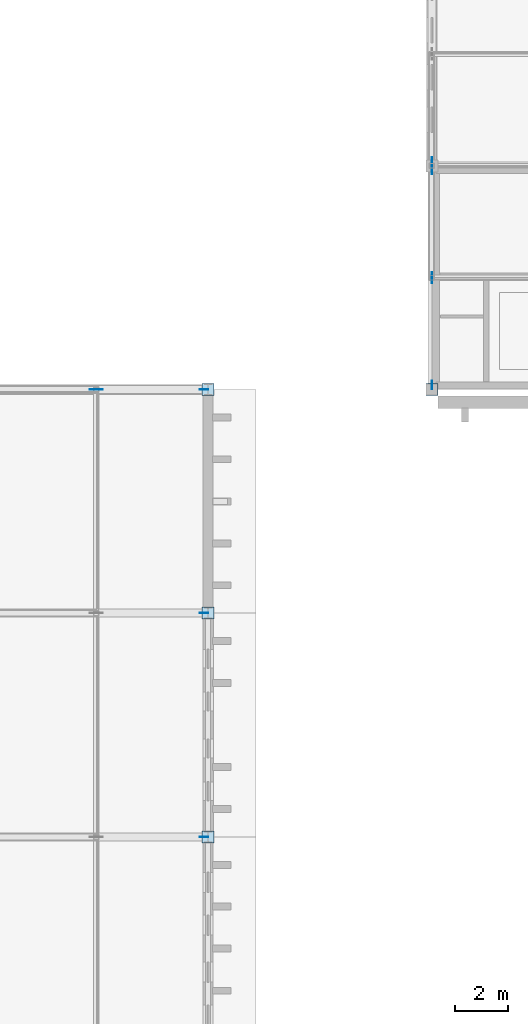
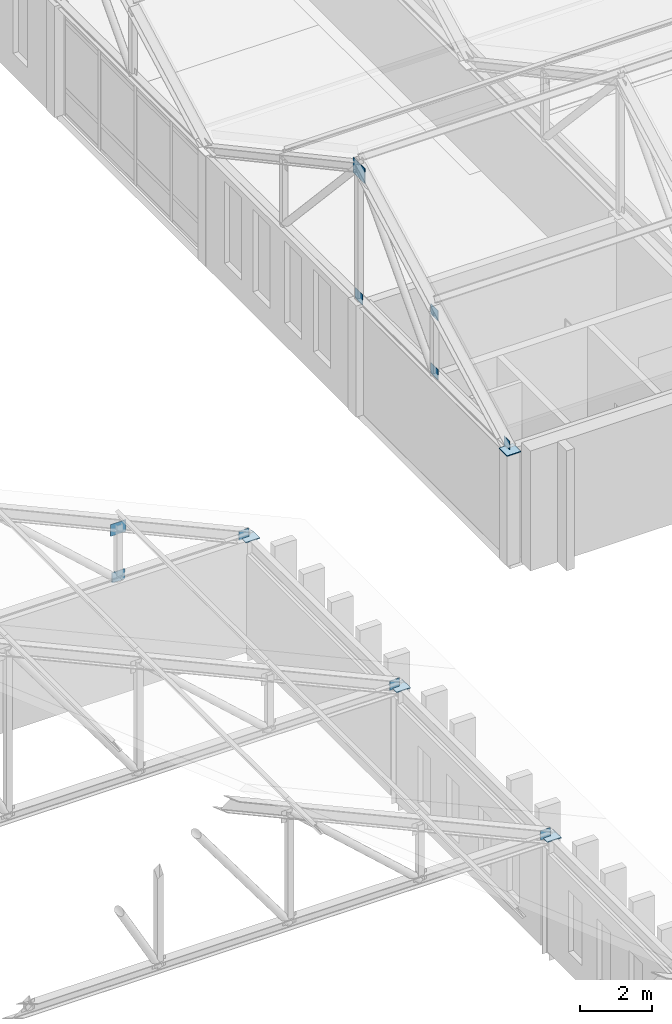
# One storey, part 73 of 110: 14 plates.
"""IFC4 building model written with IfcOpenShell, lengths in metres."""

import ifcopenshell
import ifcopenshell.guid

model = None  # the IFC model being written
_history = None  # IfcOwnerHistory: only IFC2X3 demands one
_inside = {}  # id of a spatial element -> (the spatial element, [elements in it])
_under = {}  # id of a project, library or spatial element -> (it, [spatial elements below it])
_declared = {}  # id of a project -> (the project, [libraries it declares])
_typed = {}  # id of a type object -> (the type object, [elements of that type])
_made_of = {}  # id of a material, layer set ... -> (it, [elements and type objects made of it])


def new_model(schema):
    """Start an empty IFC model of exactly this schema.

    Asked for "IFC4X3", IfcOpenShell would pick the latest addendum, in which some entities
    have other attributes; the version numbers below select the first issue.
    IFC2X3 requires an IfcOwnerHistory on every rooted entity: one is made here for all.
    """
    global model, _history
    if schema == "IFC4X3":
        model = ifcopenshell.file(schema_version=(4, 3, 0, 0))
    else:
        model = ifcopenshell.file(schema=schema)
    _inside.clear()
    _under.clear()
    _declared.clear()
    _typed.clear()
    _made_of.clear()
    _history = None
    if model.schema == "IFC2X3":
        org = make("IfcOrganization", Name="unknown")
        user = make(
            "IfcPersonAndOrganization",
            ThePerson=make("IfcPerson", FamilyName="unknown"),
            TheOrganization=org,
        )
        app = make(
            "IfcApplication",
            ApplicationDeveloper=org,
            Version="unknown",
            ApplicationFullName="unknown",
            ApplicationIdentifier="unknown",
        )
        _history = make(
            "IfcOwnerHistory",
            OwningUser=user,
            OwningApplication=app,
            ChangeAction="ADDED",
            CreationDate=0,
        )
    return model


def make(cls, **values):
    """One entity of the class cls with the attributes given. An attribute that is None is left unset."""
    return model.create_entity(
        cls, **{name: value for name, value in values.items() if value is not None}
    )


def rooted(cls, **values):
    """An entity with a GlobalId (a new one), such as an element, a storey or a relation."""
    return make(cls, GlobalId=ifcopenshell.guid.new(), OwnerHistory=_history, **values)


def si_unit(unit_type, name, prefix=None):
    """IfcSIUnit, for example si_unit("LENGTHUNIT", "METRE", prefix="MILLI")."""
    return make("IfcSIUnit", UnitType=unit_type, Prefix=prefix, Name=name)


def assignment(units):
    """IfcUnitAssignment: the units of a project."""
    return None if units is None else make("IfcUnitAssignment", Units=units)


def point(xyz):
    """IfcCartesianPoint."""
    return None if xyz is None else make("IfcCartesianPoint", Coordinates=xyz)


def direction(xyz):
    """IfcDirection."""
    return None if xyz is None else make("IfcDirection", DirectionRatios=xyz)


def frame(location, z_axis=None, x_axis=None):
    """IfcAxis2Placement3D, a coordinate frame: its origin and axes. An axis left out is left unset."""
    return make(
        "IfcAxis2Placement3D",
        Location=point(location),
        Axis=direction(z_axis),
        RefDirection=direction(x_axis),
    )


def frame_2d(location, x_axis=None):
    """IfcAxis2Placement2D, a coordinate frame in the plane: its origin and x axis."""
    return make(
        "IfcAxis2Placement2D", Location=point(location), RefDirection=direction(x_axis)
    )


def origin():
    """The frame at (0, 0, 0) with its axes left unset."""
    return frame((0.0, 0.0, 0.0))


def origin_2d():
    """The frame at (0, 0) in the plane with its x axis left unset."""
    return frame_2d((0.0, 0.0))


def place(relative_to, where):
    """IfcLocalPlacement: puts the frame where relative to a parent placement (None: the world)."""
    return make(
        "IfcLocalPlacement", PlacementRelTo=relative_to, RelativePlacement=where
    )


def context(
    kind, dimensions, precision=None, world=None, true_north=None, identifier=None
):
    """IfcGeometricRepresentationContext, for example the 3D "Model" context."""
    return make(
        "IfcGeometricRepresentationContext",
        ContextIdentifier=identifier,
        ContextType=kind,
        CoordinateSpaceDimension=dimensions,
        Precision=precision,
        WorldCoordinateSystem=world,
        TrueNorth=true_north,
    )


def subcontext(parent, identifier, kind, view, scale=None):
    """IfcGeometricRepresentationSubContext, for example "Body" below "Model"."""
    return make(
        "IfcGeometricRepresentationSubContext",
        ContextIdentifier=identifier,
        ContextType=kind,
        ParentContext=parent,
        TargetScale=scale,
        TargetView=view,
    )


def project(units=None, contexts=None):
    """IfcProject with its units and contexts."""
    return rooted(
        "IfcProject",
        Name="project",
        RepresentationContexts=contexts,
        UnitsInContext=assignment(units),
    )


def spatial(cls, under=None, at=None, **own):
    """A site, building, storey or space (cls), placed at a placement, below another one or the project."""
    s = rooted(cls, ObjectPlacement=at, **own)
    if under is not None:
        _under.setdefault(under.id(), (under, []))[1].append(s)
    return s


def profile(cls, at=None, kind="AREA", **sizes):
    """A parametric profile (cls). Its sizes go by their IFC names, for example OverallWidth=200.0."""
    return make(cls, ProfileType=kind, Position=at, **sizes)


def rectangle(**sizes):
    """IfcRectangleProfileDef."""
    return profile("IfcRectangleProfileDef", **sizes)


def extrude(swept, where, along, depth):
    """IfcExtrudedAreaSolid: the profile swept, set in the frame where, extruded along a direction by depth."""
    return make(
        "IfcExtrudedAreaSolid",
        SweptArea=swept,
        Position=where,
        ExtrudedDirection=direction(along),
        Depth=depth,
    )


def shape(context_of_items, identifier, shape_type, items):
    """IfcShapeRepresentation: the items that make up one representation, for example the "Body"."""
    return make(
        "IfcShapeRepresentation",
        ContextOfItems=context_of_items,
        RepresentationIdentifier=identifier,
        RepresentationType=shape_type,
        Items=items,
    )


def material(Name=None, Category=None):
    """IfcMaterial."""
    return make("IfcMaterial", Name=Name, Category=Category)


def layer(
    of_material, thickness, ventilated=None, Name=None, Category=None, Priority=None
):
    """IfcMaterialLayer: one layer of a wall or slab, of a material (None: an air gap)."""
    return make(
        "IfcMaterialLayer",
        Material=of_material,
        LayerThickness=thickness,
        IsVentilated=ventilated,
        Name=Name,
        Category=Category,
        Priority=Priority,
    )


def layer_set(layers, Name=None):
    """IfcMaterialLayerSet."""
    return make("IfcMaterialLayerSet", MaterialLayers=layers, LayerSetName=Name)


def made_of(thing, what):
    """Note that an element or type object is made of a material, layer set ...; save() writes the relation."""
    if what is not None:
        _made_of.setdefault(what.id(), (what, []))[1].append(thing)
    return thing


def type_object(cls, material=None, **own):
    """A type object (cls), such as IfcWallType, which elements share."""
    return made_of(rooted(cls, **own), material)


def element(
    cls,
    number,
    at=None,
    inside=None,
    cuts=None,
    type_object=None,
    material=None,
    context=None,
    identifier="Body",
    shape_type=None,
    held_by="IfcProductDefinitionShape",
    body=None,
    shapes=None,
    **own,
):
    """One element of the class cls, such as IfcWall. Its Tag is "e" and its number.

    at: its placement. inside: the storey or other place that contains it. cuts: it is an
    opening in that element (IfcRelVoidsElement). A single representation is given by context,
    identifier, shape_type and body (its items); several are given by shapes. held_by: the class
    of the entity that holds the representations. save() writes the other relations.
    """
    e = rooted(cls, Tag="e%d" % number, ObjectPlacement=at, **own)
    if body is not None:
        shapes = [shape(context, identifier, shape_type, body)]
    if shapes is not None:
        e.Representation = make(held_by, Representations=shapes)
    if inside is not None:
        _inside.setdefault(inside.id(), (inside, []))[1].append(e)
    if cuts is not None:
        rooted(
            "IfcRelVoidsElement", RelatingBuildingElement=cuts, RelatedOpeningElement=e
        )
    if type_object is not None:
        _typed.setdefault(type_object.id(), (type_object, []))[1].append(e)
    return made_of(e, material)


def aggregate(whole, parts):
    """IfcRelAggregates: a whole, such as a stair, and the parts it consists of."""
    return rooted("IfcRelAggregates", RelatingObject=whole, RelatedObjects=parts)


def save(model, path):
    """Write the relations noted so far, then the file.

    IfcRelAggregates (storeys below a building ...), IfcRelContainedInSpatialStructure (elements
    in a storey), IfcRelDefinesByType, IfcRelAssociatesMaterial and IfcRelDeclares: one each for
    every whole, place, type object, material and project.
    """
    for whole, parts in _under.values():
        aggregate(whole, parts)
    for where, things in _inside.values():
        rooted(
            "IfcRelContainedInSpatialStructure",
            RelatedElements=things,
            RelatingStructure=where,
        )
    for kind, things in _typed.values():
        rooted("IfcRelDefinesByType", RelatedObjects=things, RelatingType=kind)
    for what, things in _made_of.values():
        rooted("IfcRelAssociatesMaterial", RelatedObjects=things, RelatingMaterial=what)
    for by, libraries in _declared.values():
        rooted("IfcRelDeclares", RelatingContext=by, RelatedDefinitions=libraries)
    model.write(path)


model = new_model("IFC4")

# Units and contexts
model_context = context("Model", 3, precision=1e-05, world=origin(), true_north=direction((0.0, 1.0)))
body_context = subcontext(model_context, "Body", "Model", "MODEL_VIEW")
ifc_project = project(units=[si_unit("LENGTHUNIT", "METRE"), si_unit("AREAUNIT", "SQUARE_METRE"), si_unit("VOLUMEUNIT", "CUBIC_METRE"), si_unit("PLANEANGLEUNIT", "RADIAN"), si_unit("MASSUNIT", "GRAM", prefix="KILO")], contexts=[model_context])

# Site, building, storey
site_placement = place(None, origin())
site = spatial("IfcSite", under=ifc_project, at=site_placement, CompositionType="ELEMENT")
building_placement = place(site_placement, origin())
building = spatial("IfcBuilding", under=site, at=building_placement, Name="Kveldsbrygga Polytechnic", CompositionType="ELEMENT")
storey_placement = place(building_placement, frame((0.0, 0.0, 9.860107421875)))
storey = spatial("IfcBuildingStorey", under=building, at=storey_placement, Name="L02", CompositionType="ELEMENT", Elevation=9.860107421875)

# Plates
ifc_material = material(Name="Steel S355", Category="steel")
ifc_layer_1 = layer(ifc_material, 0.030029296875)
ifc_layer_set_1 = layer_set([ifc_layer_1], Name="Steel S355")
plate_type_1 = type_object("IfcPlateType", Name="CAP-BEAR-450", PredefinedType="SHEET", material=ifc_layer_set_1)
for number, where, z_axis, x_axis, name in (
    (1, (33.60009765625, 67.199951171875, 3.75), (0.0, 0.0, 1.0), (1.0, 0.0, 0.0), "Truss Bearing Plate V1W-T06-B"),
    (2, (33.60009765625, 75.60009765625, 3.75), (0.0, 0.0, 1.0), (1.0, 0.0, 0.0), "Truss Bearing Plate V1W-T07-B"),
    (3, (33.60009765625, 84.0, 3.75), (0.0, 0.0, 1.0), (1.0, 0.0, 0.0), "Truss Bearing Plate V1W-T08-B"),
    (4, (42.0, 84.0, 3.75), (0.0, 0.0, 1.0), (1.0, 0.0, 0.0), "Truss Bearing Plate V2L1-T01-A"),
):
    element("IfcPlate", number, at=place(storey_placement, frame(where, z_axis=z_axis, x_axis=x_axis)), inside=storey, type_object=plate_type_1, Name=name, PredefinedType="SHEET", context=body_context, shape_type="SweptSolid", body=[
        extrude(rectangle(XDim=0.449951171875, YDim=0.449951171875, at=origin_2d()), origin(), (0.0, 0.0, 1.0), 0.030029296875),
    ])
ifc_layer_2 = layer(ifc_material, 0.02490234375)
ifc_layer_set_2 = layer_set([ifc_layer_2], Name="Steel S355")
plate_type_2 = type_object("IfcPlateType", Name="GUS-APEX-650", PredefinedType="SHEET", material=ifc_layer_set_2)
plate_1_placement = place(storey_placement, frame((42.0, 92.39990234375, 7.929931640625), z_axis=(0.0, 0.0, 1.0), x_axis=(1.0, 0.0, 0.0)))
element("IfcPlate", 5, at=plate_1_placement, inside=storey, type_object=plate_type_2, Name="Truss Gusset Plate V2L1-T01-GP-2", PredefinedType="SHEET", context=body_context, shape_type="SweptSolid", body=[
    extrude(rectangle(XDim=0.02490234375, YDim=0.64990234375, at=origin_2d()), origin(), (0.0, 0.0, 1.0), 0.5),
])
ifc_layer_3 = layer(ifc_material, 0.01806640625)
ifc_layer_set_3 = layer_set([ifc_layer_3], Name="Steel S355")
plate_type_3 = type_object("IfcPlateType", Name="GUS-BRACE-320", PredefinedType="SHEET", material=ifc_layer_set_3)
for number, where, z_axis, x_axis, name in (
    (6, (33.43994140625, 67.199951171875, 3.73974609375), (0.0, 0.0, 1.0), (1.0, 0.0, 0.0), "Truss Eaves Node Gusset V1W-T06-EGP-B"),
    (7, (33.43994140625, 75.60009765625, 3.73974609375), (0.0, 0.0, 1.0), (1.0, 0.0, 0.0), "Truss Eaves Node Gusset V1W-T07-EGP-B"),
    (8, (33.43994140625, 84.0, 3.73974609375), (0.0, 0.0, 1.0), (1.0, 0.0, 0.0), "Truss Eaves Node Gusset V1W-T08-EGP-B"),
):
    element("IfcPlate", number, at=place(storey_placement, frame(where, z_axis=z_axis, x_axis=x_axis)), inside=storey, type_object=plate_type_3, Name=name, PredefinedType="SHEET", context=body_context, shape_type="SweptSolid", body=[
        extrude(rectangle(XDim=0.320068359375, YDim=0.01806640625, at=origin_2d()), origin(), (0.0, 0.0, 1.0), 0.320068359375),
    ])
plate_2_placement = place(storey_placement, frame((42.0, 84.159912109375, 3.73974609375), z_axis=(0.0, 0.0, 1.0), x_axis=(1.0, 0.0, 0.0)))
element("IfcPlate", 9, at=plate_2_placement, inside=storey, type_object=plate_type_3, Name="Truss Eaves Node Gusset V2L1-T01-EGP-A", PredefinedType="SHEET", context=body_context, shape_type="SweptSolid", body=[
    extrude(rectangle(XDim=0.01806640625, YDim=0.320068359375, at=origin_2d()), origin(), (0.0, 0.0, 1.0), 0.320068359375),
])
ifc_layer_4 = layer(ifc_material, 0.02001953125)
ifc_layer_set_4 = layer_set([ifc_layer_4], Name="Steel S355")
plate_type_4 = type_object("IfcPlateType", Name="GUS-LECT-420", PredefinedType="SHEET", material=ifc_layer_set_4)
plate_3_placement = place(storey_placement, frame((29.39990234375, 84.0, 3.724853515625), z_axis=(0.0, 0.0, 1.0), x_axis=(1.0, 0.0, 0.0)))
element("IfcPlate", 10, at=plate_3_placement, inside=storey, type_object=plate_type_4, Name="Truss Bottom-Chord Node Gusset V1W-T08-BGP-7", PredefinedType="SHEET", context=body_context, shape_type="SweptSolid", body=[
    extrude(rectangle(XDim=0.419921875, YDim=0.02001953125, at=origin_2d()), origin(), (0.0, 0.0, 1.0), 0.35009765625),
])
for number, where, z_axis, x_axis, name in (
    (11, (42.0, 88.199951171875, 5.729736328125), (0.0, 0.0, 1.0), (1.0, 0.0, 0.0), "Truss Gusset Plate V2L1-T01-GP-1"),
    (12, (42.0, 88.199951171875, 3.724853515625), (0.0, 0.0, 1.0), (1.0, 0.0, 0.0), "Truss Bottom-Chord Node Gusset V2L1-T01-BGP-1"),
    (13, (42.0, 92.39990234375, 3.724853515625), (0.0, 0.0, 1.0), (1.0, 0.0, 0.0), "Truss Bottom-Chord Node Gusset V2L1-T01-BGP-2"),
):
    element("IfcPlate", number, at=place(storey_placement, frame(where, z_axis=z_axis, x_axis=x_axis)), inside=storey, type_object=plate_type_4, Name=name, PredefinedType="SHEET", context=body_context, shape_type="SweptSolid", body=[
        extrude(rectangle(XDim=0.02001953125, YDim=0.419921875, at=origin_2d()), origin(), (0.0, 0.0, 1.0), 0.35009765625),
    ])
ifc_layer_5 = layer(ifc_material, 0.02197265625)
ifc_layer_set_5 = layer_set([ifc_layer_5], Name="Steel S355")
plate_type_5 = type_object("IfcPlateType", Name="GUS-NODE-500", PredefinedType="SHEET", material=ifc_layer_set_5)
plate_4_placement = place(storey_placement, frame((29.39990234375, 84.0, 5.329833984375), z_axis=(0.0, 0.0, 1.0), x_axis=(1.0, 0.0, 0.0)))
element("IfcPlate", 14, at=plate_4_placement, inside=storey, type_object=plate_type_5, Name="Truss Gusset Plate V1W-T08-GP-7", PredefinedType="SHEET", context=body_context, shape_type="SweptSolid", body=[
    extrude(rectangle(XDim=0.5, YDim=0.02197265625, at=origin_2d()), origin(), (0.0, 0.0, 1.0), 0.39990234375),
])

save(model, "model.ifc")
